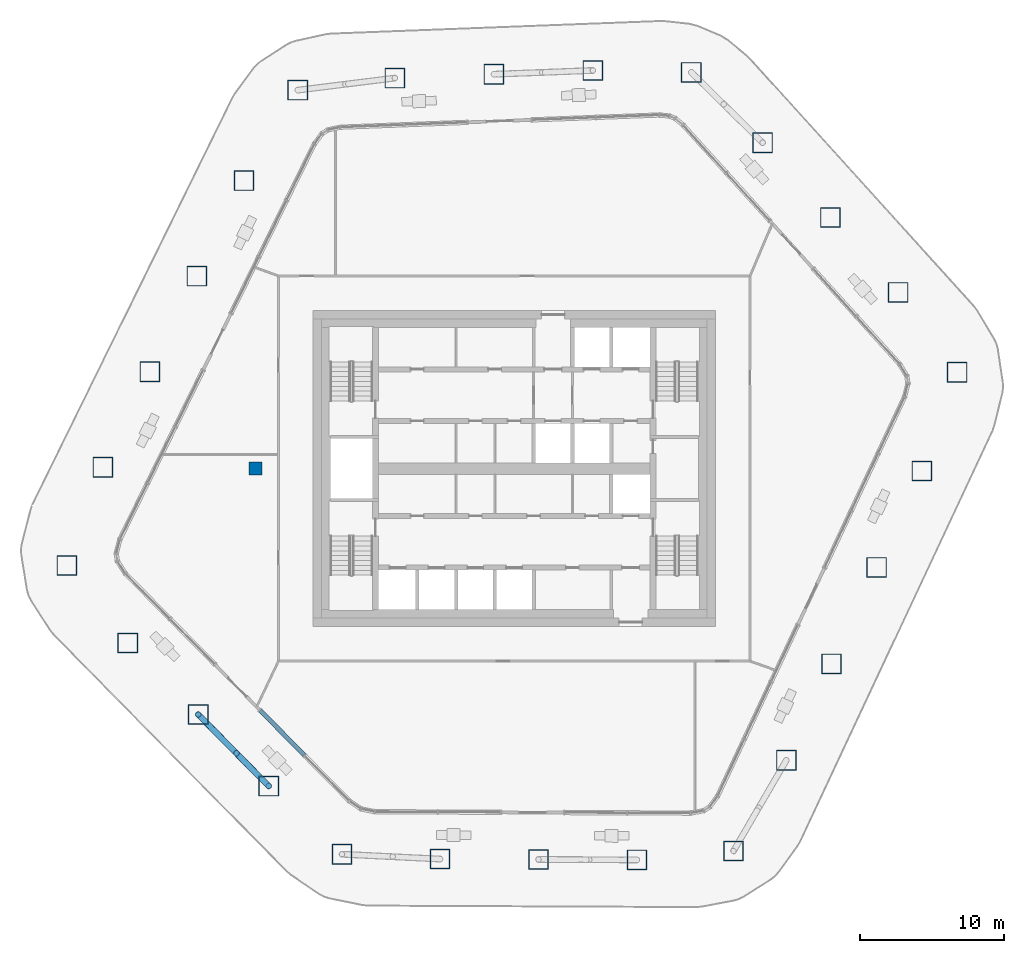
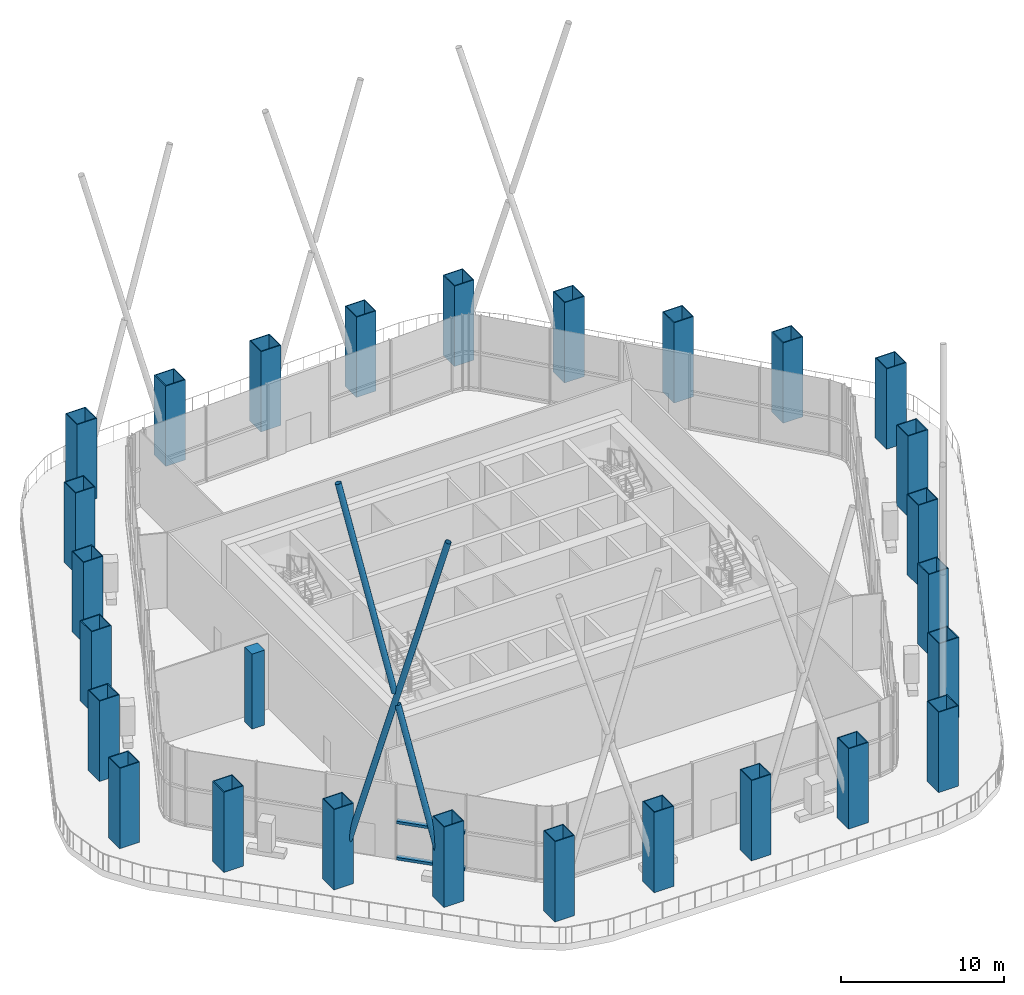
# One storey, part 1 of 20: 27 columns, 5 members, 1 element without a shape of its own.
"""IFC4 building model written with IfcOpenShell, lengths in metres."""

from ifc_helpers import new_model, si_unit, direction, frame, origin, origin_2d, place, context, subcontext, project, spatial, rectangle, hollow_rectangle, hollow_circle, extrude, material, layer, layer_set, material_profile, profile_set, type_object, element, aggregate, save


model = new_model("IFC4")

# Units and contexts
model_context = context("Model", 3, precision=1e-05, world=origin(), true_north=direction((0.0, 1.0)))
body_context = subcontext(model_context, "Body", "Model", "MODEL_VIEW")
ifc_project = project(units=[si_unit("LENGTHUNIT", "METRE"), si_unit("AREAUNIT", "SQUARE_METRE"), si_unit("VOLUMEUNIT", "CUBIC_METRE"), si_unit("PLANEANGLEUNIT", "RADIAN"), si_unit("MASSUNIT", "GRAM", prefix="KILO")], contexts=[model_context])

# Site, building, storey
site_placement = place(None, origin())
site = spatial("IfcSite", under=ifc_project, at=site_placement, CompositionType="ELEMENT")
building_placement = place(site_placement, origin())
building = spatial("IfcBuilding", under=site, at=building_placement, Name="Dongbaek Canopy Tower", CompositionType="ELEMENT")
storey_placement = place(building_placement, frame((0.0, 0.0, 353.0)))
storey = spatial("IfcBuildingStorey", under=building, at=storey_placement, Name="L76", CompositionType="ELEMENT", Elevation=353.0)

# Columns
ifc_material_1 = material(Name="Steel S355", Category="steel")
ifc_material_profile_1 = material_profile(ifc_material_1, hollow_rectangle(XDim=1.39990234375, YDim=1.39990234375, WallThickness=0.06005859375, at=origin_2d()), Name="COLUMN BOX 1400x1400x60 Steel S355")
ifc_profile_set_1 = profile_set([ifc_material_profile_1], Name="Steel S355")
column_type_1 = type_object("IfcColumnType", Name="COLUMN BOX 1400x1400x60 Steel S355", PredefinedType="COLUMN", material=ifc_profile_set_1)
for number, where, z_axis, x_axis, name in (
    (1, (-31.12890625, -6.7451171875, 0.0), (0.0, 0.0, 1.0), (1.0, 0.0, 0.0), "CANOPYCOL:CCN-09:L76"),
    (2, (-26.888916015625, -12.134033203125, 0.0), (0.0, 0.0, 1.0), (1.0, 0.0, 0.0), "CANOPYCOL:CCN-08:L76"),
    (3, (-21.986083984375, -17.112060546875, 0.0), (0.0, 0.0, 1.0), (1.0, 0.0, 0.0), "CANOPYCOL:CCN-07:L76"),
    (4, (-17.083984375, -22.089111328125, 0.0), (0.0, 0.0, 1.0), (1.0, 0.0, 0.0), "CANOPYCOL:CCN-06:L76"),
    (5, (-11.985107421875, -26.8310546875, 0.0), (0.0, 0.0, 1.0), (1.0, 0.0, 0.0), "CANOPYCOL:CCN-05:L76"),
    (6, (-5.166015625, -27.1669921875, 0.0), (0.0, 0.0, 1.0), (1.0, 0.0, 0.0), "CANOPYCOL:CCN-04:L76"),
    (7, (1.68310546875, -27.197021484375, 0.0), (0.0, 0.0, 1.0), (1.0, 0.0, 0.0), "CANOPYCOL:CCN-03:L76"),
    (8, (8.533935546875, -27.22705078125, 0.0), (0.0, 0.0, 1.0), (1.0, 0.0, 0.0), "CANOPYCOL:CCN-02:L76"),
    (9, (15.251953125, -26.60693359375, 0.0), (0.0, 0.0, 1.0), (1.0, 0.0, 0.0), "CANOPYCOL:CCN-01:L76"),
    (10, (18.925048828125, -20.2958984375, 0.0), (0.0, 0.0, 1.0), (1.0, 0.0, 0.0), "CANOPYCOL:CCN-26:L76"),
    (11, (22.068115234375, -13.587890625, 0.0), (0.0, 0.0, 1.0), (1.0, 0.0, 0.0), "CANOPYCOL:CCN-25:L76"),
    (12, (25.2099609375, -6.87890625, 0.0), (0.0, 0.0, 1.0), (1.0, 0.0, 0.0), "CANOPYCOL:CCN-24:L76"),
    (13, (28.35107421875, -0.169921875, 0.0), (0.0, 0.0, 1.0), (1.0, 0.0, 0.0), "CANOPYCOL:CCN-23:L76"),
    (14, (30.804931640625, 6.697998046875, 0.0), (0.0, 0.0, 1.0), (1.0, 0.0, 0.0), "CANOPYCOL:CCN-22:L76"),
    (15, (26.702880859375, 12.257080078125, 0.0), (0.0, 0.0, 1.0), (1.0, 0.0, 0.0), "CANOPYCOL:CCN-21:L76"),
    (16, (21.989990234375, 17.4619140625, 0.0), (0.0, 0.0, 1.0), (1.0, 0.0, 0.0), "CANOPYCOL:CCN-20:L76"),
    (17, (17.27587890625, 22.666015625, 0.0), (0.0, 0.0, 1.0), (1.0, 0.0, 0.0), "CANOPYCOL:CCN-19:L76"),
    (18, (12.31396484375, 27.56298828125, 0.0), (0.0, 0.0, 1.0), (1.0, 0.0, 0.0), "CANOPYCOL:CCN-18:L76"),
    (19, (5.470947265625, 27.69189453125, 0.0), (0.0, 0.0, 1.0), (1.0, 0.0, 0.0), "CANOPYCOL:CCN-17:L76"),
    (20, (-1.41796875, 27.427978515625, 0.0), (0.0, 0.0, 1.0), (1.0, 0.0, 0.0), "CANOPYCOL:CCN-16:L76"),
    (21, (-8.30908203125, 27.1640625, 0.0), (0.0, 0.0, 1.0), (1.0, 0.0, 0.0), "CANOPYCOL:CCN-15:L76"),
    (22, (-15.06201171875, 26.321044921875, 0.0), (0.0, 0.0, 1.0), (1.0, 0.0, 0.0), "CANOPYCOL:CCN-14:L76"),
    (23, (-18.805908203125, 20.031982421875, 0.0), (0.0, 0.0, 1.0), (1.0, 0.0, 0.0), "CANOPYCOL:CCN-13:L76"),
    (24, (-22.075927734375, 13.384033203125, 0.0), (0.0, 0.0, 1.0), (1.0, 0.0, 0.0), "CANOPYCOL:CCN-12:L76"),
    (25, (-25.346923828125, 6.735107421875, 0.0), (0.0, 0.0, 1.0), (1.0, 0.0, 0.0), "CANOPYCOL:CCN-11:L76"),
    (26, (-28.616943359375, 0.0859375, 0.0), (0.0, 0.0, 1.0), (1.0, 0.0, 0.0), "CANOPYCOL:CCN-10:L76"),
):
    element("IfcColumn", number, at=place(storey_placement, frame(where, z_axis=z_axis, x_axis=x_axis)), inside=storey, type_object=column_type_1, Name=name, PredefinedType="COLUMN", context=body_context, shape_type="SweptSolid", body=[
        extrude(hollow_rectangle(XDim=1.39990234375, YDim=1.39990234375, WallThickness=0.06005859375, at=origin_2d()), origin(), (0.0, 0.0, 1.0), 6.0),
    ])
ifc_material_2 = material(Name="Concrete C60", Category="concrete")
ifc_material_profile_2 = material_profile(ifc_material_2, rectangle(XDim=0.89990234375, YDim=0.89990234375, at=origin_2d()), Name="RC COLUMN 900x900 C60")
ifc_profile_set_2 = profile_set([ifc_material_profile_2], Name="Concrete C60")
column_type_2 = type_object("IfcColumnType", Name="RC COLUMN 900x900 C60", PredefinedType="COLUMN", material=ifc_profile_set_2)
column_placement = place(storey_placement, frame((-18.0, 0.0, 0.0), z_axis=(0.0, 0.0, 1.0), x_axis=(1.0, 0.0, 0.0)))
element("IfcColumn", 27, at=column_placement, inside=storey, type_object=column_type_2, Name="COL:CIC-01:L76", PredefinedType="COLUMN", context=body_context, shape_type="SweptSolid", body=[
    extrude(rectangle(XDim=0.89990234375, YDim=0.89990234375, at=origin_2d()), origin(), (0.0, 0.0, 1.0), 5.60009765625),
])

# Members
ifc_material_3 = material(Name="Steel S355", Category="steel")
ifc_material_profile_3 = material_profile(ifc_material_3, hollow_circle(Radius=0.203125, WallThickness=0.0126953125, at=origin_2d()), Name="COLONNADE BRACE CHS 406.4x12.7 Steel S355")
ifc_profile_set_3 = profile_set([ifc_material_profile_3], Name="Steel S355")
member_type_1 = type_object("IfcMemberType", Name="COLONNADE BRACE CHS 406.4x12.7 Steel S355", PredefinedType="BRACE", material=ifc_profile_set_3)
member_1_placement = place(storey_placement, frame((-21.986083984375, -17.112060546875, 0.60009765625), z_axis=(0.181765929463, -0.184545058919, 0.965869695205), x_axis=(0.71245095743, 0.701721905927, 0.0)))
element("IfcMember", 28, at=member_1_placement, inside=storey, type_object=member_type_1, Name="XBRACE:02:0", PredefinedType="BRACE", context=body_context, shape_type="SweptSolid", body=[
    extrude(hollow_circle(Radius=0.203125, WallThickness=0.0126953125, at=origin_2d()), origin(), (0.0, 0.0, 1.0), 26.96923828125),
])
member_2_placement = place(storey_placement, frame((-17.083984375, -22.089111328125, 0.60009765625), z_axis=(-0.163496927581, 0.166005695323, 0.972476664909), x_axis=(-0.712469901606, -0.701702671582, 0.0)))
element("IfcMember", 29, at=member_2_placement, inside=storey, type_object=member_type_1, Name="XBRACE:02:1", PredefinedType="BRACE", context=body_context, shape_type="SweptSolid", body=[
    extrude(hollow_circle(Radius=0.203125, WallThickness=0.0126953125, at=origin_2d()), origin(), (0.0, 0.0, 1.0), 13.721435546875),
])
member_3_placement = place(storey_placement, frame((-21.986083984375, -17.112060546875, 29.759033203125), z_axis=(0.163492892419, -0.165980138941, -0.972481705538), x_axis=(0.712424547263, 0.701748718885, 0.0)))
element("IfcMember", 30, at=member_3_placement, inside=storey, type_object=member_type_1, Name="XBRACE:02:2", PredefinedType="BRACE", context=body_context, shape_type="SweptSolid", body=[
    extrude(hollow_circle(Radius=0.203125, WallThickness=0.0126953125, at=origin_2d()), origin(), (0.0, 0.0, 1.0), 15.41064453125),
])

# Curtain wall, members
ifc_material_4 = material(Name="Aluminium 6063-T6 pale anodised", Category="aluminium")
ifc_layer = layer(ifc_material_4, 0.300048828125)
ifc_layer_set = layer_set([ifc_layer], Name="CW-5 observation lounge curtain wall")
curtain_wall_type = type_object("IfcCurtainWallType", Name="CW-5 observation lounge curtain wall", PredefinedType="NOTDEFINED", material=ifc_layer_set)
curtain_wall_placement = place(storey_placement, origin())
curtain_wall = element("IfcCurtainWall", 31, at=curtain_wall_placement, inside=storey, type_object=curtain_wall_type, Name="CW-5 curtain wall F3.2", PredefinedType="NOTDEFINED")
ifc_material_5 = material(Name="Aluminium 6063-T6 pale anodised", Category="aluminium")
ifc_material_profile_4 = material_profile(ifc_material_5, rectangle(XDim=0.300048828125, YDim=0.199951171875, at=origin_2d()), Name="CW-5 transom 200 x 300")
ifc_profile_set_4 = profile_set([ifc_material_profile_4], Name="Aluminium 6063-T6 pale anodised")
member_type_2 = type_object("IfcMemberType", Name="CW-5 transom 200 x 300", PredefinedType="USERDEFINED", material=ifc_profile_set_4)
member_4_placement = place(storey_placement, frame((-17.66455078125, -16.8369140625, 0.10009765625), z_axis=(0.701719265399, -0.712453558183, 0.0), x_axis=(0.712453558183, 0.701719265399, 0.0)))
member_4 = element("IfcMember", 32, at=member_4_placement, type_object=member_type_2, Name="CW-5 transom F3.2.1.1", ObjectType="TRANSOM", PredefinedType="USERDEFINED", context=body_context, shape_type="SweptSolid", body=[
    extrude(rectangle(XDim=0.300048828125, YDim=0.199951171875, at=origin_2d()), origin(), (0.0, 0.0, 1.0), 4.343994140625),
])
member_5_placement = place(storey_placement, frame((-17.66455078125, -16.8369140625, 2.800048828125), z_axis=(0.701719265399, -0.712453558183, 0.0), x_axis=(0.712453558183, 0.701719265399, 0.0)))
member_5 = element("IfcMember", 33, at=member_5_placement, type_object=member_type_2, Name="CW-5 transom F3.2.1.2", ObjectType="TRANSOM", PredefinedType="USERDEFINED", context=body_context, shape_type="SweptSolid", body=[
    extrude(rectangle(XDim=0.300048828125, YDim=0.199951171875, at=origin_2d()), origin(), (0.0, 0.0, 1.0), 4.343994140625),
])
aggregate(curtain_wall, [member_4, member_5])

save(model, "model.ifc")
